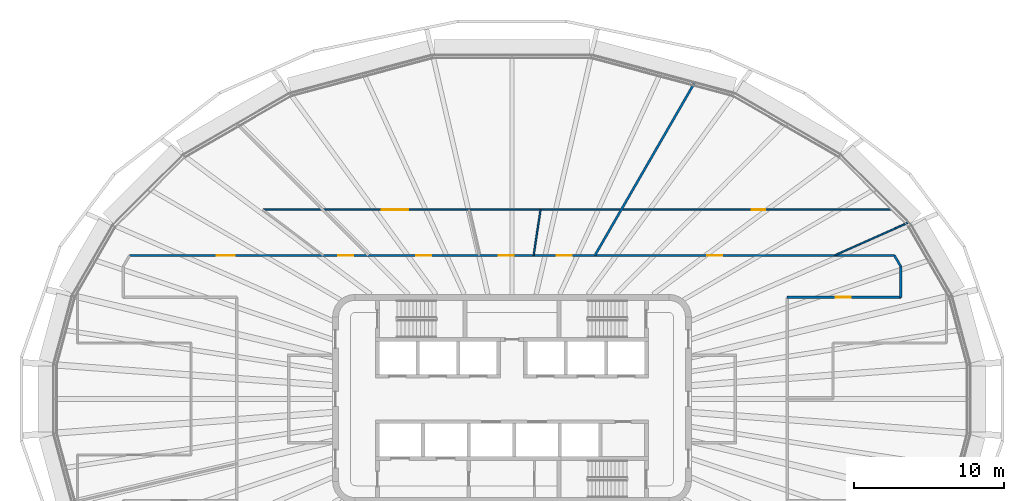
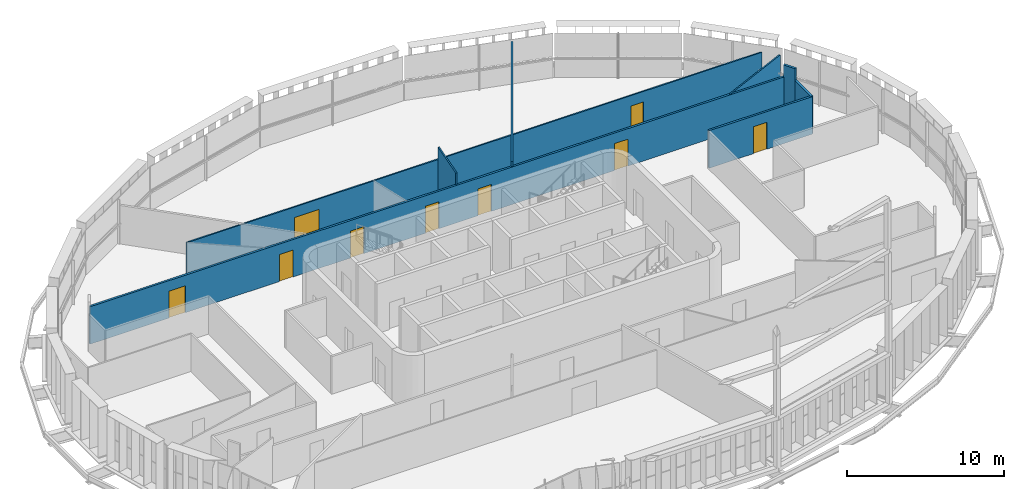
# One storey, part 13 of 20: 9 doors, 8 walls, 9 openings.
"""IFC4 building model written with IfcOpenShell, lengths in metres."""

import ifcopenshell
import ifcopenshell.guid

model = None  # the IFC model being written
_history = None  # IfcOwnerHistory: only IFC2X3 demands one
_inside = {}  # id of a spatial element -> (the spatial element, [elements in it])
_under = {}  # id of a project, library or spatial element -> (it, [spatial elements below it])
_declared = {}  # id of a project -> (the project, [libraries it declares])
_typed = {}  # id of a type object -> (the type object, [elements of that type])
_made_of = {}  # id of a material, layer set ... -> (it, [elements and type objects made of it])


def new_model(schema):
    """Start an empty IFC model of exactly this schema.

    Asked for "IFC4X3", IfcOpenShell would pick the latest addendum, in which some entities
    have other attributes; the version numbers below select the first issue.
    IFC2X3 requires an IfcOwnerHistory on every rooted entity: one is made here for all.
    """
    global model, _history
    if schema == "IFC4X3":
        model = ifcopenshell.file(schema_version=(4, 3, 0, 0))
    else:
        model = ifcopenshell.file(schema=schema)
    _inside.clear()
    _under.clear()
    _declared.clear()
    _typed.clear()
    _made_of.clear()
    _history = None
    if model.schema == "IFC2X3":
        org = make("IfcOrganization", Name="unknown")
        user = make(
            "IfcPersonAndOrganization",
            ThePerson=make("IfcPerson", FamilyName="unknown"),
            TheOrganization=org,
        )
        app = make(
            "IfcApplication",
            ApplicationDeveloper=org,
            Version="unknown",
            ApplicationFullName="unknown",
            ApplicationIdentifier="unknown",
        )
        _history = make(
            "IfcOwnerHistory",
            OwningUser=user,
            OwningApplication=app,
            ChangeAction="ADDED",
            CreationDate=0,
        )
    return model


def make(cls, **values):
    """One entity of the class cls with the attributes given. An attribute that is None is left unset."""
    return model.create_entity(
        cls, **{name: value for name, value in values.items() if value is not None}
    )


def rooted(cls, **values):
    """An entity with a GlobalId (a new one), such as an element, a storey or a relation."""
    return make(cls, GlobalId=ifcopenshell.guid.new(), OwnerHistory=_history, **values)


def si_unit(unit_type, name, prefix=None):
    """IfcSIUnit, for example si_unit("LENGTHUNIT", "METRE", prefix="MILLI")."""
    return make("IfcSIUnit", UnitType=unit_type, Prefix=prefix, Name=name)


def assignment(units):
    """IfcUnitAssignment: the units of a project."""
    return None if units is None else make("IfcUnitAssignment", Units=units)


def point(xyz):
    """IfcCartesianPoint."""
    return None if xyz is None else make("IfcCartesianPoint", Coordinates=xyz)


def direction(xyz):
    """IfcDirection."""
    return None if xyz is None else make("IfcDirection", DirectionRatios=xyz)


def frame(location, z_axis=None, x_axis=None):
    """IfcAxis2Placement3D, a coordinate frame: its origin and axes. An axis left out is left unset."""
    return make(
        "IfcAxis2Placement3D",
        Location=point(location),
        Axis=direction(z_axis),
        RefDirection=direction(x_axis),
    )


def frame_2d(location, x_axis=None):
    """IfcAxis2Placement2D, a coordinate frame in the plane: its origin and x axis."""
    return make(
        "IfcAxis2Placement2D", Location=point(location), RefDirection=direction(x_axis)
    )


def origin():
    """The frame at (0, 0, 0) with its axes left unset."""
    return frame((0.0, 0.0, 0.0))


def place(relative_to, where):
    """IfcLocalPlacement: puts the frame where relative to a parent placement (None: the world)."""
    return make(
        "IfcLocalPlacement", PlacementRelTo=relative_to, RelativePlacement=where
    )


def context(
    kind, dimensions, precision=None, world=None, true_north=None, identifier=None
):
    """IfcGeometricRepresentationContext, for example the 3D "Model" context."""
    return make(
        "IfcGeometricRepresentationContext",
        ContextIdentifier=identifier,
        ContextType=kind,
        CoordinateSpaceDimension=dimensions,
        Precision=precision,
        WorldCoordinateSystem=world,
        TrueNorth=true_north,
    )


def subcontext(parent, identifier, kind, view, scale=None):
    """IfcGeometricRepresentationSubContext, for example "Body" below "Model"."""
    return make(
        "IfcGeometricRepresentationSubContext",
        ContextIdentifier=identifier,
        ContextType=kind,
        ParentContext=parent,
        TargetScale=scale,
        TargetView=view,
    )


def project(units=None, contexts=None):
    """IfcProject with its units and contexts."""
    return rooted(
        "IfcProject",
        Name="project",
        RepresentationContexts=contexts,
        UnitsInContext=assignment(units),
    )


def spatial(cls, under=None, at=None, **own):
    """A site, building, storey or space (cls), placed at a placement, below another one or the project."""
    s = rooted(cls, ObjectPlacement=at, **own)
    if under is not None:
        _under.setdefault(under.id(), (under, []))[1].append(s)
    return s


def profile(cls, at=None, kind="AREA", **sizes):
    """A parametric profile (cls). Its sizes go by their IFC names, for example OverallWidth=200.0."""
    return make(cls, ProfileType=kind, Position=at, **sizes)


def rectangle(**sizes):
    """IfcRectangleProfileDef."""
    return profile("IfcRectangleProfileDef", **sizes)


def extrude(swept, where, along, depth):
    """IfcExtrudedAreaSolid: the profile swept, set in the frame where, extruded along a direction by depth."""
    return make(
        "IfcExtrudedAreaSolid",
        SweptArea=swept,
        Position=where,
        ExtrudedDirection=direction(along),
        Depth=depth,
    )


def shape(context_of_items, identifier, shape_type, items):
    """IfcShapeRepresentation: the items that make up one representation, for example the "Body"."""
    return make(
        "IfcShapeRepresentation",
        ContextOfItems=context_of_items,
        RepresentationIdentifier=identifier,
        RepresentationType=shape_type,
        Items=items,
    )


def material(Name=None, Category=None):
    """IfcMaterial."""
    return make("IfcMaterial", Name=Name, Category=Category)


def layer(
    of_material, thickness, ventilated=None, Name=None, Category=None, Priority=None
):
    """IfcMaterialLayer: one layer of a wall or slab, of a material (None: an air gap)."""
    return make(
        "IfcMaterialLayer",
        Material=of_material,
        LayerThickness=thickness,
        IsVentilated=ventilated,
        Name=Name,
        Category=Category,
        Priority=Priority,
    )


def layer_set(layers, Name=None):
    """IfcMaterialLayerSet."""
    return make("IfcMaterialLayerSet", MaterialLayers=layers, LayerSetName=Name)


def made_of(thing, what):
    """Note that an element or type object is made of a material, layer set ...; save() writes the relation."""
    if what is not None:
        _made_of.setdefault(what.id(), (what, []))[1].append(thing)
    return thing


def type_object(cls, material=None, **own):
    """A type object (cls), such as IfcWallType, which elements share."""
    return made_of(rooted(cls, **own), material)


def element(
    cls,
    number,
    at=None,
    inside=None,
    cuts=None,
    type_object=None,
    material=None,
    context=None,
    identifier="Body",
    shape_type=None,
    held_by="IfcProductDefinitionShape",
    body=None,
    shapes=None,
    **own,
):
    """One element of the class cls, such as IfcWall. Its Tag is "e" and its number.

    at: its placement. inside: the storey or other place that contains it. cuts: it is an
    opening in that element (IfcRelVoidsElement). A single representation is given by context,
    identifier, shape_type and body (its items); several are given by shapes. held_by: the class
    of the entity that holds the representations. save() writes the other relations.
    """
    e = rooted(cls, Tag="e%d" % number, ObjectPlacement=at, **own)
    if body is not None:
        shapes = [shape(context, identifier, shape_type, body)]
    if shapes is not None:
        e.Representation = make(held_by, Representations=shapes)
    if inside is not None:
        _inside.setdefault(inside.id(), (inside, []))[1].append(e)
    if cuts is not None:
        rooted(
            "IfcRelVoidsElement", RelatingBuildingElement=cuts, RelatedOpeningElement=e
        )
    if type_object is not None:
        _typed.setdefault(type_object.id(), (type_object, []))[1].append(e)
    return made_of(e, material)


def fill(opening, filler):
    """IfcRelFillsElement: the door or window that sits in an opening."""
    return rooted(
        "IfcRelFillsElement",
        RelatingOpeningElement=opening,
        RelatedBuildingElement=filler,
    )


def aggregate(whole, parts):
    """IfcRelAggregates: a whole, such as a stair, and the parts it consists of."""
    return rooted("IfcRelAggregates", RelatingObject=whole, RelatedObjects=parts)


def save(model, path):
    """Write the relations noted so far, then the file.

    IfcRelAggregates (storeys below a building ...), IfcRelContainedInSpatialStructure (elements
    in a storey), IfcRelDefinesByType, IfcRelAssociatesMaterial and IfcRelDeclares: one each for
    every whole, place, type object, material and project.
    """
    for whole, parts in _under.values():
        aggregate(whole, parts)
    for where, things in _inside.values():
        rooted(
            "IfcRelContainedInSpatialStructure",
            RelatedElements=things,
            RelatingStructure=where,
        )
    for kind, things in _typed.values():
        rooted("IfcRelDefinesByType", RelatedObjects=things, RelatingType=kind)
    for what, things in _made_of.values():
        rooted("IfcRelAssociatesMaterial", RelatedObjects=things, RelatingMaterial=what)
    for by, libraries in _declared.values():
        rooted("IfcRelDeclares", RelatingContext=by, RelatedDefinitions=libraries)
    model.write(path)


model = new_model("IFC4")

# Units and contexts
model_context = context("Model", 3, precision=1e-05, world=origin(), true_north=direction((0.0, 1.0)))
body_context = subcontext(model_context, "Body", "Model", "MODEL_VIEW")
ifc_project = project(units=[si_unit("LENGTHUNIT", "METRE"), si_unit("AREAUNIT", "SQUARE_METRE"), si_unit("VOLUMEUNIT", "CUBIC_METRE"), si_unit("PLANEANGLEUNIT", "RADIAN"), si_unit("MASSUNIT", "GRAM", prefix="KILO")], contexts=[model_context])

# Site, building, storey
site_placement = place(None, origin())
site = spatial("IfcSite", under=ifc_project, at=site_placement, CompositionType="ELEMENT")
building_placement = place(site_placement, origin())
building = spatial("IfcBuilding", under=site, at=building_placement, Name="Sahrelin Media Tower", CompositionType="ELEMENT")
storey_placement = place(building_placement, frame((0.0, 0.0, 209.60009765625)))
storey = spatial("IfcBuildingStorey", under=building, at=storey_placement, Name="L44", CompositionType="ELEMENT", Elevation=209.60009765625)

# Wall
ifc_material_1 = material(Name="Fire-rated gypsum board partition")
ifc_layer_1 = layer(ifc_material_1, 0.14990234375)
ifc_layer_set_1 = layer_set([ifc_layer_1], Name="Fire-rated partition 150")
wall_type_1 = type_object("IfcWallType", Name="Fire-rated partition 150", PredefinedType="PARTITIONING", material=ifc_layer_set_1)
wall_1_placement = place(storey_placement, frame((25.569091796875, 9.60009765625, 0.0), z_axis=(0.0, 0.0, 1.0), x_axis=(0.499640762619, -0.866232710263, 0.0)))
element("IfcWall", 1, at=wall_1_placement, inside=storey, type_object=wall_type_1, Name="Wall", PredefinedType="PARTITIONING", context=body_context, shape_type="SweptSolid", body=[
    extrude(rectangle(XDim=0.862548828125, YDim=0.14990234375, at=frame_2d((0.43115234375, 0.0))), origin(), (0.0, 0.0, 1.0), 3.849853515625),
])

# Wall, opening, door
wall_2_placement = place(storey_placement, frame((18.39990234375, 6.800048828125, 0.0), z_axis=(0.0, 0.0, 1.0), x_axis=(1.0, 0.0, 0.0)))
wall_2 = element("IfcWall", 2, at=wall_2_placement, inside=storey, type_object=wall_type_1, Name="Wall", PredefinedType="PARTITIONING", context=body_context, shape_type="SweptSolid", body=[
    extrude(rectangle(XDim=7.60009765625, YDim=0.14990234375, at=frame_2d((3.800048828125, 0.0))), origin(), (0.0, 0.0, 1.0), 2.927001953125),
])
opening_1_placement = place(wall_2_placement, frame((3.2490234375, 0.0, 0.0)))
opening_1 = element("IfcOpeningElement", 3, at=opening_1_placement, cuts=wall_2, Name="Opening L44-D31", PredefinedType="OPENING", context=body_context, shape_type="SweptSolid", body=[
    extrude(rectangle(XDim=1.0, YDim=2.10009765625, at=frame_2d((0.5, 1.050048828125))), frame((0.0, 0.074951171875, 0.0), z_axis=(0.0, -1.0, 0.0), x_axis=(1.0, 0.0, 0.0)), (0.0, 0.0, 1.0), 0.14990234375),
])
ifc_material_2 = material(Name="Steel fire door leaf", Category="steel")
door_type_1 = type_object("IfcDoorType", Name="Fire door 1000 x 2100 EI 60", OperationType="NOTDEFINED", PredefinedType="DOOR", material=ifc_material_2)
door_1_placement = place(opening_1_placement, origin())
door_1 = element("IfcDoor", 4, at=door_1_placement, inside=storey, type_object=door_type_1, Name="Fire door", OperationType="SINGLE_SWING_RIGHT", OverallHeight=2.10009765625, OverallWidth=1.0, PredefinedType="DOOR", context=body_context, shape_type="SweptSolid", body=[
    extrude(rectangle(XDim=1.0, YDim=2.10009765625, at=frame_2d((0.5, 1.050048828125))), frame((0.0, 0.02490234375, 0.0), z_axis=(0.0, -1.0, 0.0), x_axis=(1.0, 0.0, 0.0)), (0.0, 0.0, 1.0), 0.050048828125),
])
fill(opening_1, door_1)

# Wall, openings, doors
wall_3_placement = place(storey_placement, frame((-25.569091796875, 9.60009765625, 0.0), z_axis=(0.0, 0.0, 1.0), x_axis=(1.0, 0.0, 0.0)))
wall_3 = element("IfcWall", 5, at=wall_3_placement, inside=storey, type_object=wall_type_1, Name="Wall", PredefinedType="PARTITIONING", context=body_context, shape_type="SweptSolid", body=[
    extrude(rectangle(XDim=51.13818359375, YDim=0.14990234375, at=frame_2d((25.569091796875, 0.0))), origin(), (0.0, 0.0, 1.0), 2.918212890625),
])
opening_2_placement = place(wall_3_placement, frame((28.5634765625, 0.0, 0.0)))
opening_2 = element("IfcOpeningElement", 6, at=opening_2_placement, cuts=wall_3, Name="Opening L44-D15", PredefinedType="OPENING", context=body_context, shape_type="SweptSolid", body=[
    extrude(rectangle(XDim=1.0, YDim=2.10009765625, at=frame_2d((0.5, 1.050048828125))), frame((0.0, 0.074951171875, 0.0), z_axis=(0.0, -1.0, 0.0), x_axis=(1.0, 0.0, 0.0)), (0.0, 0.0, 1.0), 0.14990234375),
])
opening_3_placement = place(wall_3_placement, frame((24.697021484375, 0.0, 0.0)))
opening_3 = element("IfcOpeningElement", 7, at=opening_3_placement, cuts=wall_3, Name="Opening L44-D16", PredefinedType="OPENING", context=body_context, shape_type="SweptSolid", body=[
    extrude(rectangle(XDim=1.0, YDim=2.10009765625, at=frame_2d((0.5, 1.050048828125))), frame((0.0, 0.074951171875, 0.0), z_axis=(0.0, -1.0, 0.0), x_axis=(1.0, 0.0, 0.0)), (0.0, 0.0, 1.0), 0.14990234375),
])
opening_4_placement = place(wall_3_placement, frame((19.173583984375, 0.0, 0.0)))
opening_4 = element("IfcOpeningElement", 8, at=opening_4_placement, cuts=wall_3, Name="Opening L44-D17", PredefinedType="OPENING", context=body_context, shape_type="SweptSolid", body=[
    extrude(rectangle(XDim=1.0, YDim=2.10009765625, at=frame_2d((0.5, 1.050048828125))), frame((0.0, 0.074951171875, 0.0), z_axis=(0.0, -1.0, 0.0), x_axis=(1.0, 0.0, 0.0)), (0.0, 0.0, 1.0), 0.14990234375),
])
opening_5_placement = place(wall_3_placement, frame((13.9580078125, 0.0, 0.0)))
opening_5 = element("IfcOpeningElement", 9, at=opening_5_placement, cuts=wall_3, Name="Opening L44-D19", PredefinedType="OPENING", context=body_context, shape_type="SweptSolid", body=[
    extrude(rectangle(XDim=1.0, YDim=2.10009765625, at=frame_2d((0.5, 1.050048828125))), frame((0.0, 0.074951171875, 0.0), z_axis=(0.0, -1.0, 0.0), x_axis=(1.0, 0.0, 0.0)), (0.0, 0.0, 1.0), 0.14990234375),
])
opening_6_placement = place(wall_3_placement, frame((5.8232421875, 0.0, 0.0)))
opening_6 = element("IfcOpeningElement", 10, at=opening_6_placement, cuts=wall_3, Name="Opening L44-D20", PredefinedType="OPENING", context=body_context, shape_type="SweptSolid", body=[
    extrude(rectangle(XDim=1.199951171875, YDim=2.10009765625, at=frame_2d((0.60009765625, 1.050048828125))), frame((0.0, 0.074951171875, 0.0), z_axis=(0.0, -1.0, 0.0), x_axis=(1.0, 0.0, 0.0)), (0.0, 0.0, 1.0), 0.14990234375),
])
opening_7_placement = place(wall_3_placement, frame((38.62060546875, 0.0, 0.0)))
opening_7 = element("IfcOpeningElement", 11, at=opening_7_placement, cuts=wall_3, Name="Opening L44-D32", PredefinedType="OPENING", context=body_context, shape_type="SweptSolid", body=[
    extrude(rectangle(XDim=1.0, YDim=2.10009765625, at=frame_2d((0.5, 1.050048828125))), frame((0.0, 0.074951171875, 0.0), z_axis=(0.0, -1.0, 0.0), x_axis=(1.0, 0.0, 0.0)), (0.0, 0.0, 1.0), 0.14990234375),
])
door_2_placement = place(opening_2_placement, origin())
door_2 = element("IfcDoor", 12, at=door_2_placement, inside=storey, type_object=door_type_1, Name="Fire door", OperationType="SINGLE_SWING_RIGHT", OverallHeight=2.10009765625, OverallWidth=1.0, PredefinedType="DOOR", context=body_context, shape_type="SweptSolid", body=[
    extrude(rectangle(XDim=1.0, YDim=2.10009765625, at=frame_2d((0.5, 1.050048828125))), frame((0.0, 0.02490234375, 0.0), z_axis=(0.0, -1.0, 0.0), x_axis=(1.0, 0.0, 0.0)), (0.0, 0.0, 1.0), 0.050048828125),
])
fill(opening_2, door_2)
door_3_placement = place(opening_3_placement, origin())
door_3 = element("IfcDoor", 13, at=door_3_placement, inside=storey, type_object=door_type_1, Name="Fire door", OperationType="SINGLE_SWING_RIGHT", OverallHeight=2.10009765625, OverallWidth=1.0, PredefinedType="DOOR", context=body_context, shape_type="SweptSolid", body=[
    extrude(rectangle(XDim=1.0, YDim=2.10009765625, at=frame_2d((0.5, 1.050048828125))), frame((0.0, 0.02490234375, 0.0), z_axis=(0.0, -1.0, 0.0), x_axis=(1.0, 0.0, 0.0)), (0.0, 0.0, 1.0), 0.050048828125),
])
fill(opening_3, door_3)
door_4_placement = place(opening_4_placement, origin())
door_4 = element("IfcDoor", 14, at=door_4_placement, inside=storey, type_object=door_type_1, Name="Fire door", OperationType="SINGLE_SWING_LEFT", OverallHeight=2.10009765625, OverallWidth=1.0, PredefinedType="DOOR", context=body_context, shape_type="SweptSolid", body=[
    extrude(rectangle(XDim=1.0, YDim=2.10009765625, at=frame_2d((0.5, 1.050048828125))), frame((0.0, 0.02490234375, 0.0), z_axis=(0.0, -1.0, 0.0), x_axis=(1.0, 0.0, 0.0)), (0.0, 0.0, 1.0), 0.050048828125),
])
fill(opening_4, door_4)
door_5_placement = place(opening_5_placement, origin())
door_5 = element("IfcDoor", 15, at=door_5_placement, inside=storey, type_object=door_type_1, Name="Fire door", OperationType="SINGLE_SWING_LEFT", OverallHeight=2.10009765625, OverallWidth=1.0, PredefinedType="DOOR", context=body_context, shape_type="SweptSolid", body=[
    extrude(rectangle(XDim=1.0, YDim=2.10009765625, at=frame_2d((0.5, 1.050048828125))), frame((0.0, 0.02490234375, 0.0), z_axis=(0.0, -1.0, 0.0), x_axis=(1.0, 0.0, 0.0)), (0.0, 0.0, 1.0), 0.050048828125),
])
fill(opening_5, door_5)
door_6_placement = place(opening_7_placement, origin())
door_6 = element("IfcDoor", 16, at=door_6_placement, inside=storey, type_object=door_type_1, Name="Fire door", OperationType="SINGLE_SWING_LEFT", OverallHeight=2.10009765625, OverallWidth=1.0, PredefinedType="DOOR", context=body_context, shape_type="SweptSolid", body=[
    extrude(rectangle(XDim=1.0, YDim=2.10009765625, at=frame_2d((0.5, 1.050048828125))), frame((0.0, 0.02490234375, 0.0), z_axis=(0.0, -1.0, 0.0), x_axis=(1.0, 0.0, 0.0)), (0.0, 0.0, 1.0), 0.050048828125),
])
fill(opening_7, door_6)
door_type_2 = type_object("IfcDoorType", Name="Service double door 1200 x 2100 EI 60", OperationType="DOUBLE_DOOR_SINGLE_SWING", PredefinedType="DOOR", material=ifc_material_2)
door_7_placement = place(opening_6_placement, origin())
door_7 = element("IfcDoor", 17, at=door_7_placement, inside=storey, type_object=door_type_2, Name="Service double door", OperationType="DOUBLE_DOOR_SINGLE_SWING", OverallHeight=2.10009765625, OverallWidth=1.199951171875, PredefinedType="DOOR", context=body_context, shape_type="SweptSolid", body=[
    extrude(rectangle(XDim=1.199951171875, YDim=2.10009765625, at=frame_2d((0.60009765625, 1.050048828125))), frame((0.0, 0.02490234375, 0.0), z_axis=(0.0, -1.0, 0.0), x_axis=(1.0, 0.0, 0.0)), (0.0, 0.0, 1.0), 0.050048828125),
])
fill(opening_6, door_7)

# Walls
wall_4_placement = place(storey_placement, frame((5.5419921875, 9.60009765625, 0.0), z_axis=(0.0, 0.0, 1.0), x_axis=(0.499892848626, 0.866087258821, 0.0)))
element("IfcWall", 18, at=wall_4_placement, inside=storey, type_object=wall_type_1, Name="Wall", PredefinedType="PARTITIONING", context=body_context, shape_type="SweptSolid", body=[
    extrude(rectangle(XDim=13.35400390625, YDim=0.14990234375, at=frame_2d((6.677001953125, 0.0))), origin(), (0.0, 0.0, 1.0), 3.301513671875),
])
wall_5_placement = place(storey_placement, frame((26.0, 6.800048828125, 0.0), z_axis=(0.0, 0.0, 1.0), x_axis=(0.0, 1.0, 0.0)))
element("IfcWall", 19, at=wall_5_placement, inside=storey, type_object=wall_type_1, Name="Wall", PredefinedType="PARTITIONING", context=body_context, shape_type="SweptSolid", body=[
    extrude(rectangle(XDim=2.052978515625, YDim=0.14990234375, at=frame_2d((1.0263671875, 0.0))), origin(), (0.0, 0.0, 1.0), 2.927001953125),
])

# Wall, openings, doors
ifc_material_3 = material(Name="Gypsum board partition")
ifc_layer_2 = layer(ifc_material_3, 0.10009765625)
ifc_layer_set_2 = layer_set([ifc_layer_2], Name="Partition 100")
wall_type_2 = type_object("IfcWallType", Name="Partition 100", PredefinedType="PARTITIONING", material=ifc_layer_set_2)
wall_6_placement = place(storey_placement, frame((-16.64599609375, 12.659912109375, 0.0), z_axis=(0.0, 0.0, 1.0), x_axis=(1.0, 0.0, 0.0)))
wall_6 = element("IfcWall", 20, at=wall_6_placement, inside=storey, type_object=wall_type_2, Name="Wall", PredefinedType="PARTITIONING", context=body_context, shape_type="SweptSolid", body=[
    extrude(rectangle(XDim=42.326904296875, YDim=0.10009765625, at=frame_2d((21.16357421875, 0.0))), origin(), (0.0, 0.0, 1.0), 2.918212890625),
])
opening_8_placement = place(wall_6_placement, frame((7.92041015625, 0.0, 0.0)))
opening_8 = element("IfcOpeningElement", 21, at=opening_8_placement, cuts=wall_6, Name="Opening L44-D18", PredefinedType="OPENING", context=body_context, shape_type="SweptSolid", body=[
    extrude(rectangle(XDim=1.800048828125, YDim=2.10009765625, at=frame_2d((0.89990234375, 1.050048828125))), frame((0.0, 0.050048828125, 0.0), z_axis=(0.0, -1.0, 0.0), x_axis=(1.0, 0.0, 0.0)), (0.0, 0.0, 1.0), 0.10009765625),
])
opening_9_placement = place(wall_6_placement, frame((32.69091796875, 0.0, 0.0)))
opening_9 = element("IfcOpeningElement", 22, at=opening_9_placement, cuts=wall_6, Name="Opening L44-D33", PredefinedType="OPENING", context=body_context, shape_type="SweptSolid", body=[
    extrude(rectangle(XDim=0.89990234375, YDim=2.10009765625, at=frame_2d((0.449951171875, 1.050048828125))), frame((0.0, 0.050048828125, 0.0), z_axis=(0.0, -1.0, 0.0), x_axis=(1.0, 0.0, 0.0)), (0.0, 0.0, 1.0), 0.10009765625),
])
ifc_material_4 = material(Name="Timber door leaf", Category="wood")
door_type_3 = type_object("IfcDoorType", Name="Double door 1800 x 2100", OperationType="DOUBLE_DOOR_SINGLE_SWING", PredefinedType="DOOR", material=ifc_material_4)
door_8_placement = place(opening_8_placement, origin())
door_8 = element("IfcDoor", 23, at=door_8_placement, inside=storey, type_object=door_type_3, Name="Double door", OperationType="DOUBLE_DOOR_SINGLE_SWING", OverallHeight=2.10009765625, OverallWidth=1.800048828125, PredefinedType="DOOR", context=body_context, shape_type="SweptSolid", body=[
    extrude(rectangle(XDim=1.800048828125, YDim=2.10009765625, at=frame_2d((0.89990234375, 1.050048828125))), frame((0.0, 0.02490234375, 0.0), z_axis=(0.0, -1.0, 0.0), x_axis=(1.0, 0.0, 0.0)), (0.0, 0.0, 1.0), 0.050048828125),
])
fill(opening_8, door_8)
door_type_4 = type_object("IfcDoorType", Name="Single door 900 x 2100", OperationType="NOTDEFINED", PredefinedType="DOOR", material=ifc_material_4)
door_9_placement = place(opening_9_placement, origin())
door_9 = element("IfcDoor", 24, at=door_9_placement, inside=storey, type_object=door_type_4, Name="Single door", OperationType="SINGLE_SWING_LEFT", OverallHeight=2.10009765625, OverallWidth=0.89990234375, PredefinedType="DOOR", context=body_context, shape_type="SweptSolid", body=[
    extrude(rectangle(XDim=0.89990234375, YDim=2.10009765625, at=frame_2d((0.449951171875, 1.050048828125))), frame((0.0, 0.02490234375, 0.0), z_axis=(0.0, -1.0, 0.0), x_axis=(1.0, 0.0, 0.0)), (0.0, 0.0, 1.0), 0.050048828125),
])
fill(opening_9, door_9)

# Walls
wall_7_placement = place(storey_placement, frame((21.56103515625, 9.60009765625, 0.0), z_axis=(0.0, 0.0, 1.0), x_axis=(0.913544765656, 0.406738197299, 0.0)))
element("IfcWall", 25, at=wall_7_placement, inside=storey, type_object=wall_type_2, Name="Wall", PredefinedType="PARTITIONING", context=body_context, shape_type="SweptSolid", body=[
    extrude(rectangle(XDim=5.438232421875, YDim=0.10009765625, at=frame_2d((2.71923828125, 0.0))), origin(), (0.0, 0.0, 1.0), 2.927001953125),
])
wall_8_placement = place(storey_placement, frame((1.447021484375, 9.60009765625, 0.0), z_axis=(0.0, 0.0, 1.0), x_axis=(0.148961585641, 0.988842983493, 0.0)))
element("IfcWall", 26, at=wall_8_placement, inside=storey, type_object=wall_type_2, Name="Wall", PredefinedType="PARTITIONING", context=body_context, shape_type="SweptSolid", body=[
    extrude(rectangle(XDim=3.09423828125, YDim=0.10009765625, at=frame_2d((1.547119140625, 0.0))), origin(), (0.0, 0.0, 1.0), 3.849853515625),
])

save(model, "model.ifc")
